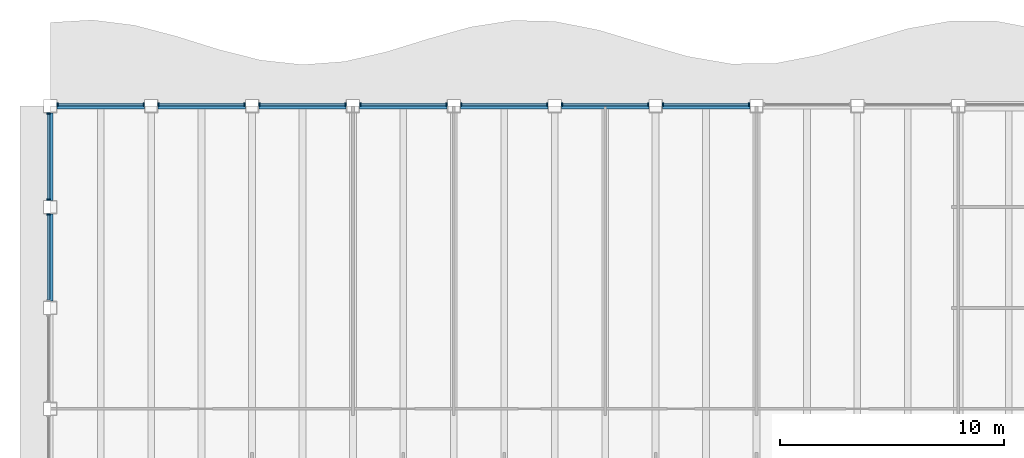
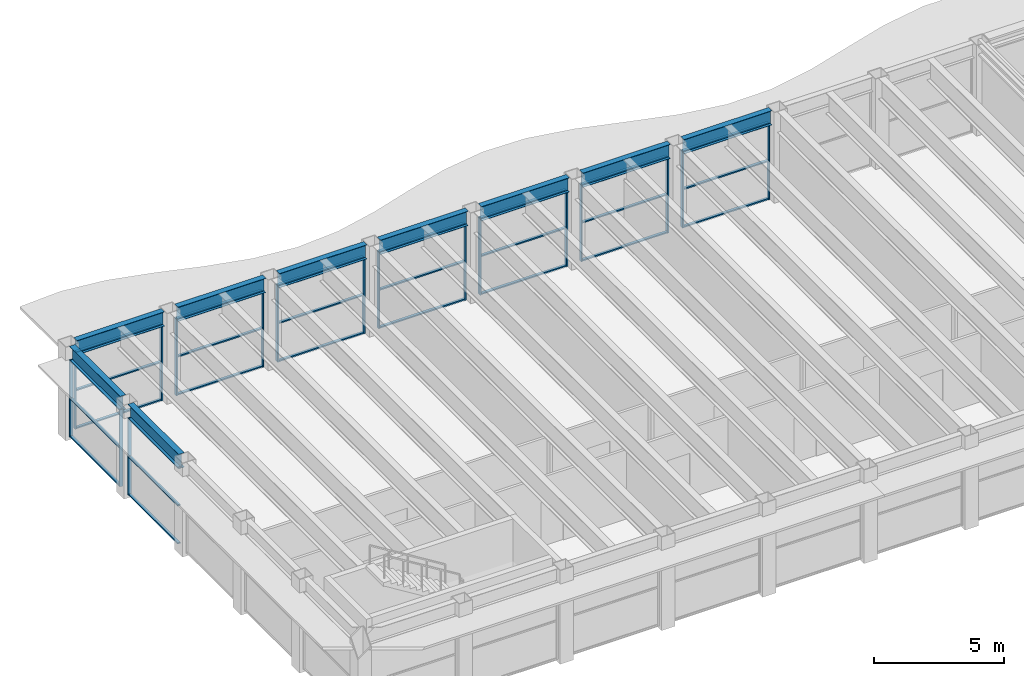
# One storey, part 4 of 15: 44 members, 9 beams, 9 elements without a shape of their own.
"""IFC4 building model written with IfcOpenShell, lengths in metres."""

from ifc_helpers import new_model, si_unit, direction, frame, origin, origin_2d, place, context, subcontext, project, spatial, rectangle, i_section, extrude, material, material_profile, profile_set, type_object, element, aggregate, save


model = new_model("IFC4")

# Units and contexts
model_context = context("Model", 3, precision=1e-05, world=origin(), true_north=direction((0.0, 1.0)))
body_context = subcontext(model_context, "Body", "Model", "MODEL_VIEW")
ifc_project = project(units=[si_unit("LENGTHUNIT", "METRE"), si_unit("AREAUNIT", "SQUARE_METRE"), si_unit("VOLUMEUNIT", "CUBIC_METRE"), si_unit("PLANEANGLEUNIT", "RADIAN"), si_unit("MASSUNIT", "GRAM", prefix="KILO")], contexts=[model_context])

# Site, building, storey
site_placement = place(None, origin())
site = spatial("IfcSite", under=ifc_project, at=site_placement, CompositionType="ELEMENT")
building_placement = place(site_placement, origin())
building = spatial("IfcBuilding", under=site, at=building_placement, Name="Sennacour Bend Tower", CompositionType="ELEMENT")
storey_placement = place(building_placement, frame((0.0, 0.0, 341.0)))
storey = spatial("IfcBuildingStorey", under=building, at=storey_placement, Name="L78", CompositionType="ELEMENT", Elevation=341.0)

# Curtain wall, members
ifc_material_1 = material(Name="Bronze anodised aluminium curtain wall with clear glass", Category="aluminium")
curtain_wall_type = type_object("IfcCurtainWallType", Name="CURTAIN WALL EXEC", PredefinedType="NOTDEFINED", material=ifc_material_1)
curtain_wall_1_placement = place(storey_placement, origin())
curtain_wall_1 = element("IfcCurtainWall", 1, at=curtain_wall_1_placement, inside=storey, type_object=curtain_wall_type, Name="Executive floor glass wall L78", PredefinedType="NOTDEFINED")
ifc_material_2 = material(Name="Aluminium 6063-T6", Category="aluminium")
ifc_material_profile_1 = material_profile(ifc_material_2, rectangle(XDim=0.14990234375, YDim=0.06005859375, at=origin_2d()), Name="Aluminium 6063-T6", Category="aluminium")
ifc_profile_set_1 = profile_set([ifc_material_profile_1], Name="Aluminium 6063-T6")
member_type_1 = type_object("IfcMemberType", Name="CW-MULLION-150X60", PredefinedType="MULLION", material=ifc_profile_set_1)
member_1_placement = place(storey_placement, frame((31.169921875, 22.574951171875, 0.0), z_axis=(0.0, 0.0, 1.0), x_axis=(0.0, -1.0, 0.0)))
member_1 = element("IfcMember", 2, at=member_1_placement, type_object=member_type_1, Name="GW3 curtain wall mullion 1", PredefinedType="MULLION", context=body_context, shape_type="SweptSolid", body=[
    extrude(rectangle(XDim=0.14990234375, YDim=0.06005859375, at=origin_2d()), origin(), (0.0, 0.0, 1.0), 3.6220703125),
])
member_2_placement = place(storey_placement, frame((27.330078125, 22.574951171875, 0.0), z_axis=(0.0, 0.0, 1.0), x_axis=(0.0, -1.0, 0.0)))
member_2 = element("IfcMember", 3, at=member_2_placement, type_object=member_type_1, Name="GW3 curtain wall mullion 2", PredefinedType="MULLION", context=body_context, shape_type="SweptSolid", body=[
    extrude(rectangle(XDim=0.14990234375, YDim=0.06005859375, at=origin_2d()), origin(), (0.0, 0.0, 1.0), 3.6220703125),
])

curtain_wall_2_placement = place(storey_placement, origin())
curtain_wall_2 = element("IfcCurtainWall", 4, at=curtain_wall_2_placement, inside=storey, type_object=curtain_wall_type, Name="Executive floor glass wall L78", PredefinedType="NOTDEFINED")
member_3_placement = place(storey_placement, frame((26.669921875, 22.574951171875, 0.0), z_axis=(0.0, 0.0, 1.0), x_axis=(0.0, -1.0, 0.0)))
member_3 = element("IfcMember", 5, at=member_3_placement, type_object=member_type_1, Name="GW3 curtain wall mullion 1", PredefinedType="MULLION", context=body_context, shape_type="SweptSolid", body=[
    extrude(rectangle(XDim=0.14990234375, YDim=0.06005859375, at=origin_2d()), origin(), (0.0, 0.0, 1.0), 3.6220703125),
])
member_4_placement = place(storey_placement, frame((22.830078125, 22.574951171875, 0.0), z_axis=(0.0, 0.0, 1.0), x_axis=(0.0, -1.0, 0.0)))
member_4 = element("IfcMember", 6, at=member_4_placement, type_object=member_type_1, Name="GW3 curtain wall mullion 2", PredefinedType="MULLION", context=body_context, shape_type="SweptSolid", body=[
    extrude(rectangle(XDim=0.14990234375, YDim=0.06005859375, at=origin_2d()), origin(), (0.0, 0.0, 1.0), 3.6220703125),
])

curtain_wall_3_placement = place(storey_placement, origin())
curtain_wall_3 = element("IfcCurtainWall", 7, at=curtain_wall_3_placement, inside=storey, type_object=curtain_wall_type, Name="Executive floor glass wall L78", PredefinedType="NOTDEFINED")
member_5_placement = place(storey_placement, frame((22.169921875, 22.574951171875, 0.0), z_axis=(0.0, 0.0, 1.0), x_axis=(0.0, -1.0, 0.0)))
member_5 = element("IfcMember", 8, at=member_5_placement, type_object=member_type_1, Name="GW3 curtain wall mullion 1", PredefinedType="MULLION", context=body_context, shape_type="SweptSolid", body=[
    extrude(rectangle(XDim=0.14990234375, YDim=0.06005859375, at=origin_2d()), origin(), (0.0, 0.0, 1.0), 3.6220703125),
])
member_6_placement = place(storey_placement, frame((18.330078125, 22.574951171875, 0.0), z_axis=(0.0, 0.0, 1.0), x_axis=(0.0, -1.0, 0.0)))
member_6 = element("IfcMember", 9, at=member_6_placement, type_object=member_type_1, Name="GW3 curtain wall mullion 2", PredefinedType="MULLION", context=body_context, shape_type="SweptSolid", body=[
    extrude(rectangle(XDim=0.14990234375, YDim=0.06005859375, at=origin_2d()), origin(), (0.0, 0.0, 1.0), 3.6220703125),
])

curtain_wall_4_placement = place(storey_placement, origin())
curtain_wall_4 = element("IfcCurtainWall", 10, at=curtain_wall_4_placement, inside=storey, type_object=curtain_wall_type, Name="Executive floor glass wall L78", PredefinedType="NOTDEFINED")
member_7_placement = place(storey_placement, frame((17.669921875, 22.574951171875, 0.0), z_axis=(0.0, 0.0, 1.0), x_axis=(0.0, -1.0, 0.0)))
member_7 = element("IfcMember", 11, at=member_7_placement, type_object=member_type_1, Name="GW3 curtain wall mullion 1", PredefinedType="MULLION", context=body_context, shape_type="SweptSolid", body=[
    extrude(rectangle(XDim=0.14990234375, YDim=0.06005859375, at=origin_2d()), origin(), (0.0, 0.0, 1.0), 3.6220703125),
])
member_8_placement = place(storey_placement, frame((13.830078125, 22.574951171875, 0.0), z_axis=(0.0, 0.0, 1.0), x_axis=(0.0, -1.0, 0.0)))
member_8 = element("IfcMember", 12, at=member_8_placement, type_object=member_type_1, Name="GW3 curtain wall mullion 2", PredefinedType="MULLION", context=body_context, shape_type="SweptSolid", body=[
    extrude(rectangle(XDim=0.14990234375, YDim=0.06005859375, at=origin_2d()), origin(), (0.0, 0.0, 1.0), 3.6220703125),
])

curtain_wall_5_placement = place(storey_placement, origin())
curtain_wall_5 = element("IfcCurtainWall", 13, at=curtain_wall_5_placement, inside=storey, type_object=curtain_wall_type, Name="Executive floor glass wall L78", PredefinedType="NOTDEFINED")
member_9_placement = place(storey_placement, frame((13.169921875, 22.574951171875, 0.0), z_axis=(0.0, 0.0, 1.0), x_axis=(0.0, -1.0, 0.0)))
member_9 = element("IfcMember", 14, at=member_9_placement, type_object=member_type_1, Name="GW3 curtain wall mullion 1", PredefinedType="MULLION", context=body_context, shape_type="SweptSolid", body=[
    extrude(rectangle(XDim=0.14990234375, YDim=0.06005859375, at=origin_2d()), origin(), (0.0, 0.0, 1.0), 3.6220703125),
])
member_10_placement = place(storey_placement, frame((9.330078125, 22.574951171875, 0.0), z_axis=(0.0, 0.0, 1.0), x_axis=(0.0, -1.0, 0.0)))
member_10 = element("IfcMember", 15, at=member_10_placement, type_object=member_type_1, Name="GW3 curtain wall mullion 2", PredefinedType="MULLION", context=body_context, shape_type="SweptSolid", body=[
    extrude(rectangle(XDim=0.14990234375, YDim=0.06005859375, at=origin_2d()), origin(), (0.0, 0.0, 1.0), 3.6220703125),
])

curtain_wall_6_placement = place(storey_placement, origin())
curtain_wall_6 = element("IfcCurtainWall", 16, at=curtain_wall_6_placement, inside=storey, type_object=curtain_wall_type, Name="Executive floor glass wall L78", PredefinedType="NOTDEFINED")
member_11_placement = place(storey_placement, frame((8.669921875, 22.574951171875, 0.0), z_axis=(0.0, 0.0, 1.0), x_axis=(0.0, -1.0, 0.0)))
member_11 = element("IfcMember", 17, at=member_11_placement, type_object=member_type_1, Name="GW3 curtain wall mullion 1", PredefinedType="MULLION", context=body_context, shape_type="SweptSolid", body=[
    extrude(rectangle(XDim=0.14990234375, YDim=0.06005859375, at=origin_2d()), origin(), (0.0, 0.0, 1.0), 3.6220703125),
])
member_12_placement = place(storey_placement, frame((4.830078125, 22.574951171875, 0.0), z_axis=(0.0, 0.0, 1.0), x_axis=(0.0, -1.0, 0.0)))
member_12 = element("IfcMember", 18, at=member_12_placement, type_object=member_type_1, Name="GW3 curtain wall mullion 2", PredefinedType="MULLION", context=body_context, shape_type="SweptSolid", body=[
    extrude(rectangle(XDim=0.14990234375, YDim=0.06005859375, at=origin_2d()), origin(), (0.0, 0.0, 1.0), 3.6220703125),
])

curtain_wall_7_placement = place(storey_placement, origin())
curtain_wall_7 = element("IfcCurtainWall", 19, at=curtain_wall_7_placement, inside=storey, type_object=curtain_wall_type, Name="Executive floor glass wall L78", PredefinedType="NOTDEFINED")
member_13_placement = place(storey_placement, frame((4.169921875, 22.574951171875, 0.0), z_axis=(0.0, 0.0, 1.0), x_axis=(0.0, -1.0, 0.0)))
member_13 = element("IfcMember", 20, at=member_13_placement, type_object=member_type_1, Name="GW3 curtain wall mullion 1", PredefinedType="MULLION", context=body_context, shape_type="SweptSolid", body=[
    extrude(rectangle(XDim=0.14990234375, YDim=0.06005859375, at=origin_2d()), origin(), (0.0, 0.0, 1.0), 3.6220703125),
])
member_14_placement = place(storey_placement, frame((0.330078125, 22.574951171875, 0.0), z_axis=(0.0, 0.0, 1.0), x_axis=(0.0, -1.0, 0.0)))
member_14 = element("IfcMember", 21, at=member_14_placement, type_object=member_type_1, Name="GW3 curtain wall mullion 2", PredefinedType="MULLION", context=body_context, shape_type="SweptSolid", body=[
    extrude(rectangle(XDim=0.14990234375, YDim=0.06005859375, at=origin_2d()), origin(), (0.0, 0.0, 1.0), 3.6220703125),
])

curtain_wall_8_placement = place(storey_placement, origin())
curtain_wall_8 = element("IfcCurtainWall", 22, at=curtain_wall_8_placement, inside=storey, type_object=curtain_wall_type, Name="Executive floor glass wall L78", PredefinedType="NOTDEFINED")
member_15_placement = place(storey_placement, frame((-0.074951171875, 22.169921875, 0.0), z_axis=(0.0, 0.0, 1.0), x_axis=(1.0, 0.0, 0.0)))
member_15 = element("IfcMember", 23, at=member_15_placement, type_object=member_type_1, Name="GW3 curtain wall mullion 1", PredefinedType="MULLION", context=body_context, shape_type="SweptSolid", body=[
    extrude(rectangle(XDim=0.14990234375, YDim=0.06005859375, at=origin_2d()), origin(), (0.0, 0.0, 1.0), 3.6220703125),
])
member_16_placement = place(storey_placement, frame((-0.074951171875, 18.330078125, 0.0), z_axis=(0.0, 0.0, 1.0), x_axis=(1.0, 0.0, 0.0)))
member_16 = element("IfcMember", 24, at=member_16_placement, type_object=member_type_1, Name="GW3 curtain wall mullion 2", PredefinedType="MULLION", context=body_context, shape_type="SweptSolid", body=[
    extrude(rectangle(XDim=0.14990234375, YDim=0.06005859375, at=origin_2d()), origin(), (0.0, 0.0, 1.0), 3.6220703125),
])

# Curtain wall, member
curtain_wall_9_placement = place(storey_placement, origin())
curtain_wall_9 = element("IfcCurtainWall", 25, at=curtain_wall_9_placement, inside=storey, type_object=curtain_wall_type, Name="Executive floor glass wall L78", PredefinedType="NOTDEFINED")
member_17_placement = place(storey_placement, frame((-0.074951171875, 17.669921875, 0.0), z_axis=(0.0, 0.0, 1.0), x_axis=(1.0, 0.0, 0.0)))
member_17 = element("IfcMember", 26, at=member_17_placement, type_object=member_type_1, Name="GW3 curtain wall mullion 1", PredefinedType="MULLION", context=body_context, shape_type="SweptSolid", body=[
    extrude(rectangle(XDim=0.14990234375, YDim=0.06005859375, at=origin_2d()), origin(), (0.0, 0.0, 1.0), 3.6220703125),
])

# Member
ifc_material_profile_2 = material_profile(ifc_material_2, rectangle(XDim=0.1201171875, YDim=0.06005859375, at=origin_2d()), Name="Aluminium 6063-T6", Category="aluminium")
ifc_profile_set_2 = profile_set([ifc_material_profile_2], Name="Aluminium 6063-T6")
member_type_2 = type_object("IfcMemberType", Name="CW-TRANSOM-120X60", PredefinedType="USERDEFINED", material=ifc_profile_set_2)
member_18_placement = place(storey_placement, frame((31.139892578125, 22.574951171875, 0.030029296875), z_axis=(-1.0, 0.0, 0.0), x_axis=(0.0, -1.0, 0.0)))
member_18 = element("IfcMember", 27, at=member_18_placement, type_object=member_type_2, Name="GW3 curtain wall transom 1.1", ObjectType="TRANSOM", PredefinedType="USERDEFINED", context=body_context, shape_type="SweptSolid", body=[
    extrude(rectangle(XDim=0.1201171875, YDim=0.06005859375, at=origin_2d()), origin(), (0.0, 0.0, 1.0), 3.77978515625),
])

member_19_placement = place(storey_placement, frame((31.139892578125, 22.574951171875, 1.81103515625), z_axis=(-1.0, 0.0, 0.0), x_axis=(0.0, -1.0, 0.0)))
member_19 = element("IfcMember", 28, at=member_19_placement, type_object=member_type_2, Name="GW3 curtain wall transom 1.2", ObjectType="TRANSOM", PredefinedType="USERDEFINED", context=body_context, shape_type="SweptSolid", body=[
    extrude(rectangle(XDim=0.1201171875, YDim=0.06005859375, at=origin_2d()), origin(), (0.0, 0.0, 1.0), 3.77978515625),
])

member_20_placement = place(storey_placement, frame((31.139892578125, 22.574951171875, 3.592041015625), z_axis=(-1.0, 0.0, 0.0), x_axis=(0.0, -1.0, 0.0)))
member_20 = element("IfcMember", 29, at=member_20_placement, type_object=member_type_2, Name="GW3 curtain wall transom 1.3", ObjectType="TRANSOM", PredefinedType="USERDEFINED", context=body_context, shape_type="SweptSolid", body=[
    extrude(rectangle(XDim=0.1201171875, YDim=0.06005859375, at=origin_2d()), origin(), (0.0, 0.0, 1.0), 3.77978515625),
])

aggregate(curtain_wall_1, [member_1, member_2, member_18, member_19, member_20])

member_21_placement = place(storey_placement, frame((26.639892578125, 22.574951171875, 0.030029296875), z_axis=(-1.0, 0.0, 0.0), x_axis=(0.0, -1.0, 0.0)))
member_21 = element("IfcMember", 30, at=member_21_placement, type_object=member_type_2, Name="GW3 curtain wall transom 1.1", ObjectType="TRANSOM", PredefinedType="USERDEFINED", context=body_context, shape_type="SweptSolid", body=[
    extrude(rectangle(XDim=0.1201171875, YDim=0.06005859375, at=origin_2d()), origin(), (0.0, 0.0, 1.0), 3.77978515625),
])

member_22_placement = place(storey_placement, frame((26.639892578125, 22.574951171875, 1.81103515625), z_axis=(-1.0, 0.0, 0.0), x_axis=(0.0, -1.0, 0.0)))
member_22 = element("IfcMember", 31, at=member_22_placement, type_object=member_type_2, Name="GW3 curtain wall transom 1.2", ObjectType="TRANSOM", PredefinedType="USERDEFINED", context=body_context, shape_type="SweptSolid", body=[
    extrude(rectangle(XDim=0.1201171875, YDim=0.06005859375, at=origin_2d()), origin(), (0.0, 0.0, 1.0), 3.77978515625),
])

member_23_placement = place(storey_placement, frame((26.639892578125, 22.574951171875, 3.592041015625), z_axis=(-1.0, 0.0, 0.0), x_axis=(0.0, -1.0, 0.0)))
member_23 = element("IfcMember", 32, at=member_23_placement, type_object=member_type_2, Name="GW3 curtain wall transom 1.3", ObjectType="TRANSOM", PredefinedType="USERDEFINED", context=body_context, shape_type="SweptSolid", body=[
    extrude(rectangle(XDim=0.1201171875, YDim=0.06005859375, at=origin_2d()), origin(), (0.0, 0.0, 1.0), 3.77978515625),
])

aggregate(curtain_wall_2, [member_3, member_4, member_21, member_22, member_23])

member_24_placement = place(storey_placement, frame((22.139892578125, 22.574951171875, 0.030029296875), z_axis=(-1.0, 0.0, 0.0), x_axis=(0.0, -1.0, 0.0)))
member_24 = element("IfcMember", 33, at=member_24_placement, type_object=member_type_2, Name="GW3 curtain wall transom 1.1", ObjectType="TRANSOM", PredefinedType="USERDEFINED", context=body_context, shape_type="SweptSolid", body=[
    extrude(rectangle(XDim=0.1201171875, YDim=0.06005859375, at=origin_2d()), origin(), (0.0, 0.0, 1.0), 3.77978515625),
])

member_25_placement = place(storey_placement, frame((22.139892578125, 22.574951171875, 1.81103515625), z_axis=(-1.0, 0.0, 0.0), x_axis=(0.0, -1.0, 0.0)))
member_25 = element("IfcMember", 34, at=member_25_placement, type_object=member_type_2, Name="GW3 curtain wall transom 1.2", ObjectType="TRANSOM", PredefinedType="USERDEFINED", context=body_context, shape_type="SweptSolid", body=[
    extrude(rectangle(XDim=0.1201171875, YDim=0.06005859375, at=origin_2d()), origin(), (0.0, 0.0, 1.0), 3.77978515625),
])

member_26_placement = place(storey_placement, frame((22.139892578125, 22.574951171875, 3.592041015625), z_axis=(-1.0, 0.0, 0.0), x_axis=(0.0, -1.0, 0.0)))
member_26 = element("IfcMember", 35, at=member_26_placement, type_object=member_type_2, Name="GW3 curtain wall transom 1.3", ObjectType="TRANSOM", PredefinedType="USERDEFINED", context=body_context, shape_type="SweptSolid", body=[
    extrude(rectangle(XDim=0.1201171875, YDim=0.06005859375, at=origin_2d()), origin(), (0.0, 0.0, 1.0), 3.77978515625),
])

aggregate(curtain_wall_3, [member_5, member_6, member_24, member_25, member_26])

member_27_placement = place(storey_placement, frame((17.639892578125, 22.574951171875, 0.030029296875), z_axis=(-1.0, 0.0, 0.0), x_axis=(0.0, -1.0, 0.0)))
member_27 = element("IfcMember", 36, at=member_27_placement, type_object=member_type_2, Name="GW3 curtain wall transom 1.1", ObjectType="TRANSOM", PredefinedType="USERDEFINED", context=body_context, shape_type="SweptSolid", body=[
    extrude(rectangle(XDim=0.1201171875, YDim=0.06005859375, at=origin_2d()), origin(), (0.0, 0.0, 1.0), 3.77978515625),
])

member_28_placement = place(storey_placement, frame((17.639892578125, 22.574951171875, 1.81103515625), z_axis=(-1.0, 0.0, 0.0), x_axis=(0.0, -1.0, 0.0)))
member_28 = element("IfcMember", 37, at=member_28_placement, type_object=member_type_2, Name="GW3 curtain wall transom 1.2", ObjectType="TRANSOM", PredefinedType="USERDEFINED", context=body_context, shape_type="SweptSolid", body=[
    extrude(rectangle(XDim=0.1201171875, YDim=0.06005859375, at=origin_2d()), origin(), (0.0, 0.0, 1.0), 3.77978515625),
])

member_29_placement = place(storey_placement, frame((17.639892578125, 22.574951171875, 3.592041015625), z_axis=(-1.0, 0.0, 0.0), x_axis=(0.0, -1.0, 0.0)))
member_29 = element("IfcMember", 38, at=member_29_placement, type_object=member_type_2, Name="GW3 curtain wall transom 1.3", ObjectType="TRANSOM", PredefinedType="USERDEFINED", context=body_context, shape_type="SweptSolid", body=[
    extrude(rectangle(XDim=0.1201171875, YDim=0.06005859375, at=origin_2d()), origin(), (0.0, 0.0, 1.0), 3.77978515625),
])

aggregate(curtain_wall_4, [member_7, member_8, member_27, member_28, member_29])

member_30_placement = place(storey_placement, frame((13.139892578125, 22.574951171875, 0.030029296875), z_axis=(-1.0, 0.0, 0.0), x_axis=(0.0, -1.0, 0.0)))
member_30 = element("IfcMember", 39, at=member_30_placement, type_object=member_type_2, Name="GW3 curtain wall transom 1.1", ObjectType="TRANSOM", PredefinedType="USERDEFINED", context=body_context, shape_type="SweptSolid", body=[
    extrude(rectangle(XDim=0.1201171875, YDim=0.06005859375, at=origin_2d()), origin(), (0.0, 0.0, 1.0), 3.77978515625),
])

member_31_placement = place(storey_placement, frame((13.139892578125, 22.574951171875, 1.81103515625), z_axis=(-1.0, 0.0, 0.0), x_axis=(0.0, -1.0, 0.0)))
member_31 = element("IfcMember", 40, at=member_31_placement, type_object=member_type_2, Name="GW3 curtain wall transom 1.2", ObjectType="TRANSOM", PredefinedType="USERDEFINED", context=body_context, shape_type="SweptSolid", body=[
    extrude(rectangle(XDim=0.1201171875, YDim=0.06005859375, at=origin_2d()), origin(), (0.0, 0.0, 1.0), 3.77978515625),
])

member_32_placement = place(storey_placement, frame((13.139892578125, 22.574951171875, 3.592041015625), z_axis=(-1.0, 0.0, 0.0), x_axis=(0.0, -1.0, 0.0)))
member_32 = element("IfcMember", 41, at=member_32_placement, type_object=member_type_2, Name="GW3 curtain wall transom 1.3", ObjectType="TRANSOM", PredefinedType="USERDEFINED", context=body_context, shape_type="SweptSolid", body=[
    extrude(rectangle(XDim=0.1201171875, YDim=0.06005859375, at=origin_2d()), origin(), (0.0, 0.0, 1.0), 3.77978515625),
])

aggregate(curtain_wall_5, [member_9, member_10, member_30, member_31, member_32])

member_33_placement = place(storey_placement, frame((8.639892578125, 22.574951171875, 0.030029296875), z_axis=(-1.0, 0.0, 0.0), x_axis=(0.0, -1.0, 0.0)))
member_33 = element("IfcMember", 42, at=member_33_placement, type_object=member_type_2, Name="GW3 curtain wall transom 1.1", ObjectType="TRANSOM", PredefinedType="USERDEFINED", context=body_context, shape_type="SweptSolid", body=[
    extrude(rectangle(XDim=0.1201171875, YDim=0.06005859375, at=origin_2d()), origin(), (0.0, 0.0, 1.0), 3.77978515625),
])

member_34_placement = place(storey_placement, frame((8.639892578125, 22.574951171875, 1.81103515625), z_axis=(-1.0, 0.0, 0.0), x_axis=(0.0, -1.0, 0.0)))
member_34 = element("IfcMember", 43, at=member_34_placement, type_object=member_type_2, Name="GW3 curtain wall transom 1.2", ObjectType="TRANSOM", PredefinedType="USERDEFINED", context=body_context, shape_type="SweptSolid", body=[
    extrude(rectangle(XDim=0.1201171875, YDim=0.06005859375, at=origin_2d()), origin(), (0.0, 0.0, 1.0), 3.77978515625),
])

member_35_placement = place(storey_placement, frame((8.639892578125, 22.574951171875, 3.592041015625), z_axis=(-1.0, 0.0, 0.0), x_axis=(0.0, -1.0, 0.0)))
member_35 = element("IfcMember", 44, at=member_35_placement, type_object=member_type_2, Name="GW3 curtain wall transom 1.3", ObjectType="TRANSOM", PredefinedType="USERDEFINED", context=body_context, shape_type="SweptSolid", body=[
    extrude(rectangle(XDim=0.1201171875, YDim=0.06005859375, at=origin_2d()), origin(), (0.0, 0.0, 1.0), 3.77978515625),
])

aggregate(curtain_wall_6, [member_11, member_12, member_33, member_34, member_35])

member_36_placement = place(storey_placement, frame((4.139892578125, 22.574951171875, 0.030029296875), z_axis=(-1.0, 0.0, 0.0), x_axis=(0.0, -1.0, 0.0)))
member_36 = element("IfcMember", 45, at=member_36_placement, type_object=member_type_2, Name="GW3 curtain wall transom 1.1", ObjectType="TRANSOM", PredefinedType="USERDEFINED", context=body_context, shape_type="SweptSolid", body=[
    extrude(rectangle(XDim=0.1201171875, YDim=0.06005859375, at=origin_2d()), origin(), (0.0, 0.0, 1.0), 3.77978515625),
])

member_37_placement = place(storey_placement, frame((4.139892578125, 22.574951171875, 1.81103515625), z_axis=(-1.0, 0.0, 0.0), x_axis=(0.0, -1.0, 0.0)))
member_37 = element("IfcMember", 46, at=member_37_placement, type_object=member_type_2, Name="GW3 curtain wall transom 1.2", ObjectType="TRANSOM", PredefinedType="USERDEFINED", context=body_context, shape_type="SweptSolid", body=[
    extrude(rectangle(XDim=0.1201171875, YDim=0.06005859375, at=origin_2d()), origin(), (0.0, 0.0, 1.0), 3.77978515625),
])

member_38_placement = place(storey_placement, frame((4.139892578125, 22.574951171875, 3.592041015625), z_axis=(-1.0, 0.0, 0.0), x_axis=(0.0, -1.0, 0.0)))
member_38 = element("IfcMember", 47, at=member_38_placement, type_object=member_type_2, Name="GW3 curtain wall transom 1.3", ObjectType="TRANSOM", PredefinedType="USERDEFINED", context=body_context, shape_type="SweptSolid", body=[
    extrude(rectangle(XDim=0.1201171875, YDim=0.06005859375, at=origin_2d()), origin(), (0.0, 0.0, 1.0), 3.77978515625),
])

aggregate(curtain_wall_7, [member_13, member_14, member_36, member_37, member_38])

member_39_placement = place(storey_placement, frame((-0.074951171875, 22.139892578125, 0.030029296875), z_axis=(0.0, -1.0, 0.0), x_axis=(1.0, 0.0, 0.0)))
member_39 = element("IfcMember", 48, at=member_39_placement, type_object=member_type_2, Name="GW3 curtain wall transom 1.1", ObjectType="TRANSOM", PredefinedType="USERDEFINED", context=body_context, shape_type="SweptSolid", body=[
    extrude(rectangle(XDim=0.1201171875, YDim=0.06005859375, at=origin_2d()), origin(), (0.0, 0.0, 1.0), 3.77978515625),
])

member_40_placement = place(storey_placement, frame((-0.074951171875, 22.139892578125, 1.81103515625), z_axis=(0.0, -1.0, 0.0), x_axis=(1.0, 0.0, 0.0)))
member_40 = element("IfcMember", 49, at=member_40_placement, type_object=member_type_2, Name="GW3 curtain wall transom 1.2", ObjectType="TRANSOM", PredefinedType="USERDEFINED", context=body_context, shape_type="SweptSolid", body=[
    extrude(rectangle(XDim=0.1201171875, YDim=0.06005859375, at=origin_2d()), origin(), (0.0, 0.0, 1.0), 3.77978515625),
])

member_41_placement = place(storey_placement, frame((-0.074951171875, 22.139892578125, 3.592041015625), z_axis=(0.0, -1.0, 0.0), x_axis=(1.0, 0.0, 0.0)))
member_41 = element("IfcMember", 50, at=member_41_placement, type_object=member_type_2, Name="GW3 curtain wall transom 1.3", ObjectType="TRANSOM", PredefinedType="USERDEFINED", context=body_context, shape_type="SweptSolid", body=[
    extrude(rectangle(XDim=0.1201171875, YDim=0.06005859375, at=origin_2d()), origin(), (0.0, 0.0, 1.0), 3.77978515625),
])

aggregate(curtain_wall_8, [member_15, member_16, member_39, member_40, member_41])

member_42_placement = place(storey_placement, frame((-0.074951171875, 17.639892578125, 0.030029296875), z_axis=(0.0, -1.0, 0.0), x_axis=(1.0, 0.0, 0.0)))
member_42 = element("IfcMember", 51, at=member_42_placement, type_object=member_type_2, Name="GW3 curtain wall transom 1.1", ObjectType="TRANSOM", PredefinedType="USERDEFINED", context=body_context, shape_type="SweptSolid", body=[
    extrude(rectangle(XDim=0.1201171875, YDim=0.06005859375, at=origin_2d()), origin(), (0.0, 0.0, 1.0), 3.77978515625),
])

member_43_placement = place(storey_placement, frame((-0.074951171875, 17.639892578125, 1.81103515625), z_axis=(0.0, -1.0, 0.0), x_axis=(1.0, 0.0, 0.0)))
member_43 = element("IfcMember", 52, at=member_43_placement, type_object=member_type_2, Name="GW3 curtain wall transom 1.2", ObjectType="TRANSOM", PredefinedType="USERDEFINED", context=body_context, shape_type="SweptSolid", body=[
    extrude(rectangle(XDim=0.1201171875, YDim=0.06005859375, at=origin_2d()), origin(), (0.0, 0.0, 1.0), 3.77978515625),
])

member_44_placement = place(storey_placement, frame((-0.074951171875, 17.639892578125, 3.592041015625), z_axis=(0.0, -1.0, 0.0), x_axis=(1.0, 0.0, 0.0)))
member_44 = element("IfcMember", 53, at=member_44_placement, type_object=member_type_2, Name="GW3 curtain wall transom 1.3", ObjectType="TRANSOM", PredefinedType="USERDEFINED", context=body_context, shape_type="SweptSolid", body=[
    extrude(rectangle(XDim=0.1201171875, YDim=0.06005859375, at=origin_2d()), origin(), (0.0, 0.0, 1.0), 3.77978515625),
])

aggregate(curtain_wall_9, [member_17, member_42, member_43, member_44])

# Beams
ifc_material_3 = material(Name="Steel ASTM A992 Grade 50", Category="steel")
ifc_material_profile_3 = material_profile(ifc_material_3, i_section(OverallWidth=0.25390625, OverallDepth=0.677978515625, WebThickness=0.01171875, FlangeThickness=0.016357421875, FilletRadius=0.01513671875, at=origin_2d()), Name="Steel ASTM A992 Grade 50", Category="steel")
ifc_profile_set_3 = profile_set([ifc_material_profile_3], Name="Steel ASTM A992 Grade 50")
beam_type = type_object("IfcBeamType", Name="Spandrel beam W690X125", PredefinedType="SPANDREL", material=ifc_profile_set_3)
for number, where, z_axis, x_axis, name in (
    (54, (0.300048828125, 22.5, 3.910888671875), (1.0, 0.0, 0.0), (0.0, 1.0, 0.0), "Spandrel beam SP7 L79-001"),
    (55, (4.800048828125, 22.5, 3.910888671875), (1.0, 0.0, 0.0), (0.0, 1.0, 0.0), "Spandrel beam SP7 L79-002"),
    (56, (9.300048828125, 22.5, 3.910888671875), (1.0, 0.0, 0.0), (0.0, 1.0, 0.0), "Spandrel beam SP7 L79-003"),
    (57, (13.800048828125, 22.5, 3.910888671875), (1.0, 0.0, 0.0), (0.0, 1.0, 0.0), "Spandrel beam SP7 L79-004"),
    (58, (18.300048828125, 22.5, 3.910888671875), (1.0, 0.0, 0.0), (0.0, 1.0, 0.0), "Spandrel beam SP7 L79-005"),
    (59, (22.800048828125, 22.5, 3.910888671875), (1.0, 0.0, 0.0), (0.0, 1.0, 0.0), "Spandrel beam SP7 L79-006"),
    (60, (27.300048828125, 22.5, 3.910888671875), (1.0, 0.0, 0.0), (0.0, 1.0, 0.0), "Spandrel beam SP7 L79-007"),
    (61, (0.0, 13.800048828125, 3.910888671875), (0.0, 1.0, 0.0), (-1.0, 0.0, 0.0), "Spandrel beam SP7 L79-022"),
    (62, (0.0, 18.300048828125, 3.910888671875), (0.0, 1.0, 0.0), (-1.0, 0.0, 0.0), "Spandrel beam SP7 L79-023"),
):
    element("IfcBeam", number, at=place(storey_placement, frame(where, z_axis=z_axis, x_axis=x_axis)), inside=storey, type_object=beam_type, Name=name, PredefinedType="SPANDREL", context=body_context, shape_type="SweptSolid", body=[
        extrude(i_section(OverallWidth=0.25390625, OverallDepth=0.677978515625, WebThickness=0.01171875, FlangeThickness=0.016357421875, FilletRadius=0.01513671875, at=origin_2d()), origin(), (0.0, 0.0, 1.0), 3.89990234375),
    ])

save(model, "model.ifc")
